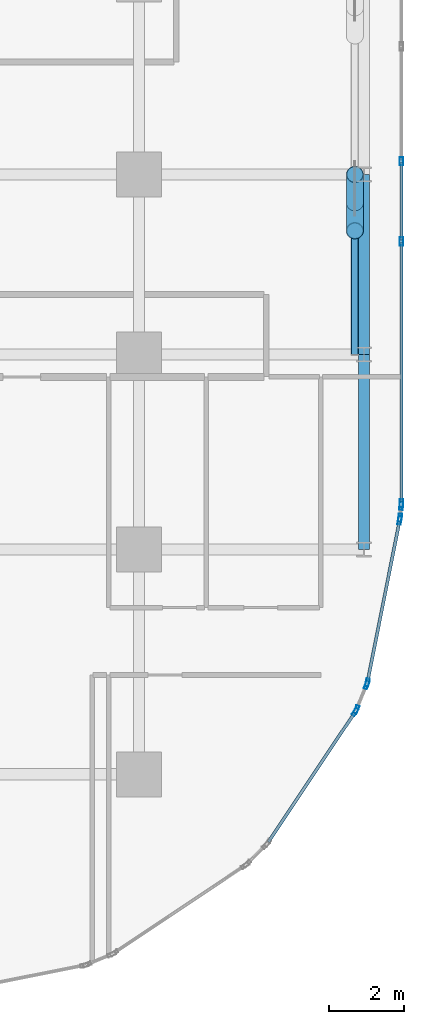
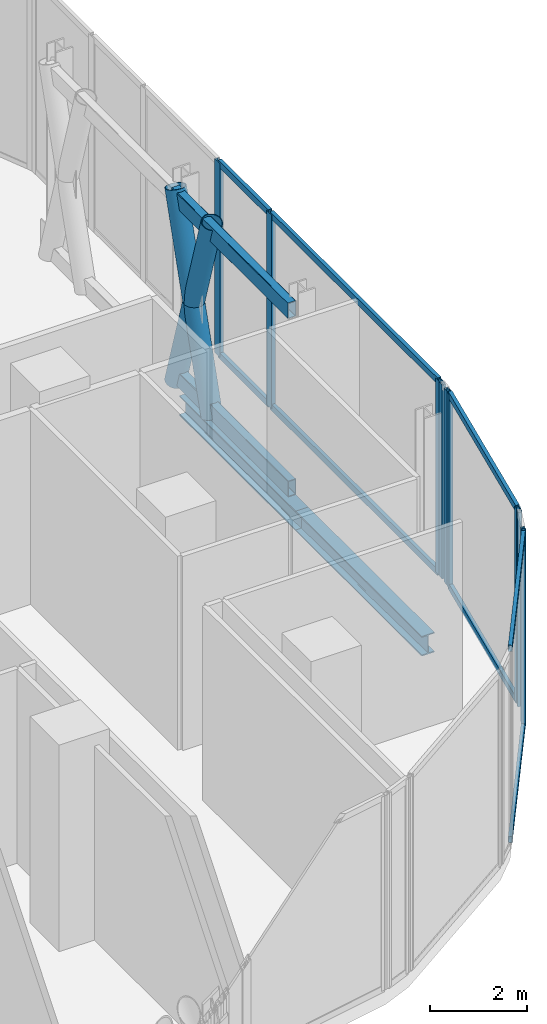
# One storey, part 19 of 36: 23 members, 2 beams, 7 elements without a shape of their own.
"""IFC4 building model written with IfcOpenShell, lengths in metres."""

from ifc_helpers import new_model, si_unit, direction, frame, origin, origin_2d, place, context, subcontext, project, spatial, hollow_rectangle, hollow_circle, i_section, extrude, material, layer, layer_set, material_profile, profile_set, type_object, element, aggregate, save


model = new_model("IFC4")

# Units and contexts
model_context = context("Model", 3, precision=1e-05, world=origin(), true_north=direction((0.0, 1.0)))
body_context = subcontext(model_context, "Body", "Model", "MODEL_VIEW")
ifc_project = project(units=[si_unit("LENGTHUNIT", "METRE"), si_unit("AREAUNIT", "SQUARE_METRE"), si_unit("VOLUMEUNIT", "CUBIC_METRE"), si_unit("PLANEANGLEUNIT", "RADIAN"), si_unit("MASSUNIT", "GRAM", prefix="KILO")], contexts=[model_context])

# Site, building, storey
site_placement = place(None, origin())
site = spatial("IfcSite", under=ifc_project, at=site_placement, CompositionType="ELEMENT")
building_placement = place(site_placement, origin())
building = spatial("IfcBuilding", under=site, at=building_placement, Name="Keshet Zoharim Tower", CompositionType="ELEMENT")
storey_placement = place(building_placement, frame((0.0, 0.0, 81.199951171875)))
storey = spatial("IfcBuildingStorey", under=building, at=storey_placement, Name="L19", CompositionType="ELEMENT", Elevation=81.199951171875)

# Beams
ifc_material_1 = material(Name="Steel S355", Category="steel")
ifc_material_profile_1 = material_profile(ifc_material_1, i_section(OverallWidth=0.300048828125, OverallDepth=0.5, WebThickness=0.014404296875, FlangeThickness=0.028076171875, FilletRadius=0.027099609375, at=origin_2d()), Name="HEB500")
ifc_profile_set_1 = profile_set([ifc_material_profile_1], Name="Steel S355")
beam_type = type_object("IfcBeamType", Name="BM-WEB-HB500", PredefinedType="BEAM", material=ifc_profile_set_1)
beam_1_placement = place(storey_placement, frame((69.0, 12.699951171875, -0.669921875), z_axis=(0.0, 1.0, 0.0), x_axis=(-1.0, 0.0, 0.0)))
element("IfcBeam", 1, at=beam_1_placement, inside=storey, type_object=beam_type, Name="L19 Primary Girder Y-023", PredefinedType="BEAM", context=body_context, shape_type="SweptSolid", body=[
    extrude(i_section(OverallWidth=0.300048828125, OverallDepth=0.5, WebThickness=0.014404296875, FlangeThickness=0.028076171875, FilletRadius=0.027099609375, at=origin_2d()), origin(), (0.0, 0.0, 1.0), 5.199951171875),
])
beam_2_placement = place(storey_placement, frame((69.0, 17.89990234375, -0.669921875), z_axis=(0.0, 1.0, 0.0), x_axis=(-1.0, 0.0, 0.0)))
element("IfcBeam", 2, at=beam_2_placement, inside=storey, type_object=beam_type, Name="L19 Primary Girder Y-024", PredefinedType="BEAM", context=body_context, shape_type="SweptSolid", body=[
    extrude(i_section(OverallWidth=0.300048828125, OverallDepth=0.5, WebThickness=0.014404296875, FlangeThickness=0.028076171875, FilletRadius=0.027099609375, at=origin_2d()), origin(), (0.0, 0.0, 1.0), 4.800048828125),
])

# Curtain wall, member
ifc_material_2 = material(Name="Aluminium 6063-T6", Category="aluminium")
ifc_layer_1 = layer(ifc_material_2, 0.169921875)
ifc_layer_set_1 = layer_set([ifc_layer_1], Name="Aluminium 6063-T6")
curtain_wall_type_1 = type_object("IfcCurtainWallType", Name="CW-SYS-02", PredefinedType="NOTDEFINED", material=ifc_layer_set_1)
curtain_wall_1_placement = place(storey_placement, origin())
curtain_wall_1 = element("IfcCurtainWall", 3, at=curtain_wall_1_placement, inside=storey, type_object=curtain_wall_type_1, Name="L19 Unitised Curtain Wall 16 Part 3", PredefinedType="NOTDEFINED")
ifc_material_profile_2 = material_profile(ifc_material_2, hollow_rectangle(XDim=0.090087890625, YDim=0.219970703125, WallThickness=0.0048828125, at=origin_2d()), Name="MUL-90x220")
ifc_profile_set_2 = profile_set([ifc_material_profile_2], Name="Aluminium 6063-T6")
member_type_1 = type_object("IfcMemberType", Name="CWM-M22", PredefinedType="MULLION", material=ifc_profile_set_2)
member_1_placement = place(storey_placement, frame((70.0, 23.053466796875, 0.0), z_axis=(0.0, 0.0, 1.0), x_axis=(1.0, 0.0, 0.0)))
member_1 = element("IfcMember", 4, at=member_1_placement, type_object=member_type_1, Name="CW-02 mullion 2", PredefinedType="MULLION", context=body_context, shape_type="SweptSolid", body=[
    extrude(hollow_rectangle(XDim=0.090087890625, YDim=0.219970703125, WallThickness=0.0048828125, at=origin_2d()), origin(), (0.0, 0.0, 1.0), 4.885009765625),
])
aggregate(curtain_wall_1, [member_1])

curtain_wall_2_placement = place(storey_placement, origin())
curtain_wall_2 = element("IfcCurtainWall", 5, at=curtain_wall_2_placement, inside=storey, type_object=curtain_wall_type_1, Name="L19 Unitised Curtain Wall 16 Part 4", PredefinedType="NOTDEFINED")
member_2_placement = place(storey_placement, frame((70.0, 20.91650390625, 0.0), z_axis=(0.0, 0.0, 1.0), x_axis=(1.0, 0.0, 0.0)))
member_2 = element("IfcMember", 6, at=member_2_placement, type_object=member_type_1, Name="CW-02 mullion 2", PredefinedType="MULLION", context=body_context, shape_type="SweptSolid", body=[
    extrude(hollow_rectangle(XDim=0.090087890625, YDim=0.219970703125, WallThickness=0.0048828125, at=origin_2d()), origin(), (0.0, 0.0, 1.0), 4.885009765625),
])

curtain_wall_3_placement = place(storey_placement, origin())
curtain_wall_3 = element("IfcCurtainWall", 7, at=curtain_wall_3_placement, inside=storey, type_object=curtain_wall_type_1, Name="L19 Unitised Curtain Wall 16 Part 5", PredefinedType="NOTDEFINED")
member_3_placement = place(storey_placement, frame((70.0, 13.931884765625, 0.0), z_axis=(0.0, 0.0, 1.0), x_axis=(1.0, 0.0, 0.0)))
member_3 = element("IfcMember", 8, at=member_3_placement, type_object=member_type_1, Name="CW-02 mullion 2", PredefinedType="MULLION", context=body_context, shape_type="SweptSolid", body=[
    extrude(hollow_rectangle(XDim=0.090087890625, YDim=0.219970703125, WallThickness=0.0048828125, at=origin_2d()), origin(), (0.0, 0.0, 1.0), 4.885009765625),
])

# Curtain wall, members
curtain_wall_4_placement = place(storey_placement, origin())
curtain_wall_4 = element("IfcCurtainWall", 9, at=curtain_wall_4_placement, inside=storey, type_object=curtain_wall_type_1, Name="L19 Unitised Curtain Wall 17", PredefinedType="NOTDEFINED")
member_4_placement = place(storey_placement, frame((69.99658203125, 13.862060546875, 0.0), z_axis=(0.0, 0.0, 1.0), x_axis=(0.995286657009, -0.096976648633, 0.0)))
member_4 = element("IfcMember", 10, at=member_4_placement, type_object=member_type_1, Name="CW-02 mullion 1", PredefinedType="MULLION", context=body_context, shape_type="SweptSolid", body=[
    extrude(hollow_rectangle(XDim=0.090087890625, YDim=0.219970703125, WallThickness=0.0048828125, at=origin_2d()), origin(), (0.0, 0.0, 1.0), 4.885009765625),
])
member_5_placement = place(storey_placement, frame((69.96533203125, 13.541748046875, 0.0), z_axis=(0.0, 0.0, 1.0), x_axis=(0.995286657009, -0.096976648633, 0.0)))
member_5 = element("IfcMember", 11, at=member_5_placement, type_object=member_type_1, Name="CW-02 mullion 2", PredefinedType="MULLION", context=body_context, shape_type="SweptSolid", body=[
    extrude(hollow_rectangle(XDim=0.090087890625, YDim=0.219970703125, WallThickness=0.0048828125, at=origin_2d()), origin(), (0.0, 0.0, 1.0), 4.885009765625),
])
aggregate(curtain_wall_4, [member_4, member_5])

curtain_wall_5_placement = place(storey_placement, origin())
curtain_wall_5 = element("IfcCurtainWall", 12, at=curtain_wall_5_placement, inside=storey, type_object=curtain_wall_type_1, Name="L19 Unitised Curtain Wall 18", PredefinedType="NOTDEFINED")
member_6_placement = place(storey_placement, frame((69.955078125, 13.47265625, 0.0), z_axis=(0.0, 0.0, 1.0), x_axis=(0.98076917357, -0.195171279072, 0.0)))
member_6 = element("IfcMember", 13, at=member_6_placement, type_object=member_type_1, Name="CW-02 mullion 1", PredefinedType="MULLION", context=body_context, shape_type="SweptSolid", body=[
    extrude(hollow_rectangle(XDim=0.090087890625, YDim=0.219970703125, WallThickness=0.0048828125, at=origin_2d()), origin(), (0.0, 0.0, 1.0), 4.885009765625),
])
member_7_placement = place(storey_placement, frame((69.0947265625, 9.1494140625, 0.0), z_axis=(0.0, 0.0, 1.0), x_axis=(0.98076917357, -0.195171279072, 0.0)))
member_7 = element("IfcMember", 14, at=member_7_placement, type_object=member_type_1, Name="CW-02 mullion 2", PredefinedType="MULLION", context=body_context, shape_type="SweptSolid", body=[
    extrude(hollow_rectangle(XDim=0.090087890625, YDim=0.219970703125, WallThickness=0.0048828125, at=origin_2d()), origin(), (0.0, 0.0, 1.0), 4.885009765625),
])

ifc_layer_2 = layer(ifc_material_2, 0.179931640625)
ifc_layer_set_2 = layer_set([ifc_layer_2], Name="Aluminium 6063-T6")
curtain_wall_type_2 = type_object("IfcCurtainWallType", Name="CW-SYS-01", PredefinedType="NOTDEFINED", material=ifc_layer_set_2)
curtain_wall_6_placement = place(storey_placement, origin())
curtain_wall_6 = element("IfcCurtainWall", 15, at=curtain_wall_6_placement, inside=storey, type_object=curtain_wall_type_2, Name="L19 Unitised Curtain Wall 19", PredefinedType="NOTDEFINED")
member_8_placement = place(storey_placement, frame((69.07470703125, 9.082763671875, 0.0), z_axis=(0.0, 0.0, 1.0), x_axis=(0.923720000557, -0.383068349739, 0.0)))
member_8 = element("IfcMember", 16, at=member_8_placement, type_object=member_type_1, Name="CW-01 mullion 1", PredefinedType="MULLION", context=body_context, shape_type="SweptSolid", body=[
    extrude(hollow_rectangle(XDim=0.090087890625, YDim=0.219970703125, WallThickness=0.0048828125, at=origin_2d()), origin(), (0.0, 0.0, 1.0), 4.885009765625),
])
member_9_placement = place(storey_placement, frame((68.802490234375, 8.42626953125, 0.0), z_axis=(0.0, 0.0, 1.0), x_axis=(0.923720000557, -0.383068349739, 0.0)))
member_9 = element("IfcMember", 17, at=member_9_placement, type_object=member_type_1, Name="CW-01 mullion 2", PredefinedType="MULLION", context=body_context, shape_type="SweptSolid", body=[
    extrude(hollow_rectangle(XDim=0.090087890625, YDim=0.219970703125, WallThickness=0.0048828125, at=origin_2d()), origin(), (0.0, 0.0, 1.0), 4.885009765625),
])
aggregate(curtain_wall_6, [member_8, member_9])

# Curtain wall, member
curtain_wall_7_placement = place(storey_placement, origin())
curtain_wall_7 = element("IfcCurtainWall", 18, at=curtain_wall_7_placement, inside=storey, type_object=curtain_wall_type_2, Name="L19 Unitised Curtain Wall 20", PredefinedType="NOTDEFINED")
member_10_placement = place(storey_placement, frame((68.76953125, 8.364990234375, 0.0), z_axis=(0.0, 0.0, 1.0), x_axis=(0.831474282335, -0.555563243758, 0.0)))
member_10 = element("IfcMember", 19, at=member_10_placement, type_object=member_type_1, Name="CW-01 mullion 1", PredefinedType="MULLION", context=body_context, shape_type="SweptSolid", body=[
    extrude(hollow_rectangle(XDim=0.090087890625, YDim=0.219970703125, WallThickness=0.0048828125, at=origin_2d()), origin(), (0.0, 0.0, 1.0), 4.885009765625),
])

# Member
ifc_material_profile_3 = material_profile(ifc_material_2, hollow_rectangle(XDim=0.0849609375, YDim=0.159912109375, WallThickness=0.00439453125, at=origin_2d()), Name="TRN-85x160")
ifc_profile_set_3 = profile_set([ifc_material_profile_3], Name="Aluminium 6063-T6")
member_type_2 = type_object("IfcMemberType", Name="CWT-T16", PredefinedType="USERDEFINED", material=ifc_profile_set_3)
member_11_placement = place(storey_placement, frame((70.0, 23.018310546875, 0.03515625), z_axis=(0.0, -1.0, 0.0), x_axis=(1.0, 0.0, 0.0)))
member_11 = element("IfcMember", 20, at=member_11_placement, type_object=member_type_2, Name="CW-02 transom 1.1", ObjectType="TRANSOM", PredefinedType="USERDEFINED", context=body_context, shape_type="SweptSolid", body=[
    extrude(hollow_rectangle(XDim=0.0849609375, YDim=0.159912109375, WallThickness=0.00439453125, at=origin_2d()), origin(), (0.0, 0.0, 1.0), 2.066650390625),
])

member_12_placement = place(storey_placement, frame((70.0, 23.018310546875, 4.85009765625), z_axis=(0.0, -1.0, 0.0), x_axis=(1.0, 0.0, 0.0)))
member_12 = element("IfcMember", 21, at=member_12_placement, type_object=member_type_2, Name="CW-02 transom 1.2", ObjectType="TRANSOM", PredefinedType="USERDEFINED", context=body_context, shape_type="SweptSolid", body=[
    extrude(hollow_rectangle(XDim=0.0849609375, YDim=0.159912109375, WallThickness=0.00439453125, at=origin_2d()), origin(), (0.0, 0.0, 1.0), 2.066650390625),
])

aggregate(curtain_wall_2, [member_2, member_11, member_12])

member_13_placement = place(storey_placement, frame((70.0, 20.881591796875, 0.03515625), z_axis=(0.0, -1.0, 0.0), x_axis=(1.0, 0.0, 0.0)))
member_13 = element("IfcMember", 22, at=member_13_placement, type_object=member_type_2, Name="CW-02 transom 1.1", ObjectType="TRANSOM", PredefinedType="USERDEFINED", context=body_context, shape_type="SweptSolid", body=[
    extrude(hollow_rectangle(XDim=0.0849609375, YDim=0.159912109375, WallThickness=0.00439453125, at=origin_2d()), origin(), (0.0, 0.0, 1.0), 6.91455078125),
])

member_14_placement = place(storey_placement, frame((70.0, 20.881591796875, 4.85009765625), z_axis=(0.0, -1.0, 0.0), x_axis=(1.0, 0.0, 0.0)))
member_14 = element("IfcMember", 23, at=member_14_placement, type_object=member_type_2, Name="CW-02 transom 1.2", ObjectType="TRANSOM", PredefinedType="USERDEFINED", context=body_context, shape_type="SweptSolid", body=[
    extrude(hollow_rectangle(XDim=0.0849609375, YDim=0.159912109375, WallThickness=0.00439453125, at=origin_2d()), origin(), (0.0, 0.0, 1.0), 6.91455078125),
])

aggregate(curtain_wall_3, [member_3, member_13, member_14])

member_15_placement = place(storey_placement, frame((69.9482421875, 13.438232421875, 0.03515625), z_axis=(-0.195174459131, -0.980768540739, 0.0), x_axis=(0.980768540739, -0.195174459131, 0.0)))
member_15 = element("IfcMember", 24, at=member_15_placement, type_object=member_type_2, Name="CW-02 transom 1.1", ObjectType="TRANSOM", PredefinedType="USERDEFINED", context=body_context, shape_type="SweptSolid", body=[
    extrude(hollow_rectangle(XDim=0.0849609375, YDim=0.159912109375, WallThickness=0.00439453125, at=origin_2d()), origin(), (0.0, 0.0, 1.0), 4.338134765625),
])

member_16_placement = place(storey_placement, frame((69.9482421875, 13.438232421875, 4.85009765625), z_axis=(-0.195174459131, -0.980768540739, 0.0), x_axis=(0.980768540739, -0.195174459131, 0.0)))
member_16 = element("IfcMember", 25, at=member_16_placement, type_object=member_type_2, Name="CW-02 transom 1.2", ObjectType="TRANSOM", PredefinedType="USERDEFINED", context=body_context, shape_type="SweptSolid", body=[
    extrude(hollow_rectangle(XDim=0.0849609375, YDim=0.159912109375, WallThickness=0.00439453125, at=origin_2d()), origin(), (0.0, 0.0, 1.0), 4.338134765625),
])

aggregate(curtain_wall_5, [member_6, member_7, member_15, member_16])

member_17_placement = place(storey_placement, frame((68.75, 8.335693359375, 0.03515625), z_axis=(-0.55555796544, -0.831477809106, 0.0), x_axis=(0.831477809106, -0.55555796544, 0.0)))
member_17 = element("IfcMember", 26, at=member_17_placement, type_object=member_type_2, Name="CW-01 transom 1.1", ObjectType="TRANSOM", PredefinedType="USERDEFINED", context=body_context, shape_type="SweptSolid", body=[
    extrude(hollow_rectangle(XDim=0.0849609375, YDim=0.159912109375, WallThickness=0.00439453125, at=origin_2d()), origin(), (0.0, 0.0, 1.0), 4.136474609375),
])

member_18_placement = place(storey_placement, frame((68.75, 8.335693359375, 4.85009765625), z_axis=(-0.55555796544, -0.831477809106, 0.0), x_axis=(0.831477809106, -0.55555796544, 0.0)))
member_18 = element("IfcMember", 27, at=member_18_placement, type_object=member_type_2, Name="CW-01 transom 1.2", ObjectType="TRANSOM", PredefinedType="USERDEFINED", context=body_context, shape_type="SweptSolid", body=[
    extrude(hollow_rectangle(XDim=0.0849609375, YDim=0.159912109375, WallThickness=0.00439453125, at=origin_2d()), origin(), (0.0, 0.0, 1.0), 4.136474609375),
])

aggregate(curtain_wall_7, [member_10, member_17, member_18])

# Members
ifc_material_profile_4 = material_profile(ifc_material_1, hollow_circle(Radius=0.228515625, WallThickness=0.01611328125, at=origin_2d()), Name="CHS457x16")
ifc_profile_set_4 = profile_set([ifc_material_profile_4], Name="Steel S355")
member_type_3 = type_object("IfcMemberType", Name="MB-BELT-C457", PredefinedType="BRACE", material=ifc_profile_set_4)
member_19_placement = place(storey_placement, frame((68.760009765625, 22.699951171875, 0.0), z_axis=(0.0, -0.293535214916, 0.955948260945), x_axis=(1.0, 0.0, 0.0)))
element("IfcMember", 28, at=member_19_placement, inside=storey, type_object=member_type_3, Name="L19 Perimeter Belt Truss Continuous Diagonal A08", PredefinedType="BRACE", context=body_context, shape_type="SweptSolid", body=[
    extrude(hollow_circle(Radius=0.228515625, WallThickness=0.01611328125, at=origin_2d()), origin(), (0.0, 0.0, 1.0), 5.110107421875),
])
member_20_placement = place(storey_placement, frame((68.760009765625, 21.199951171875, 0.0), z_axis=(0.0, 0.293521809364, 0.955952377176), x_axis=(-1.0, 0.0, 0.0)))
element("IfcMember", 29, at=member_20_placement, inside=storey, type_object=member_type_3, Name="L19 Perimeter Belt Truss Split Diagonal B1-08", PredefinedType="BRACE", context=body_context, shape_type="SweptSolid", body=[
    extrude(hollow_circle(Radius=0.228515625, WallThickness=0.01611328125, at=origin_2d()), origin(), (0.0, 0.0, 1.0), 2.55517578125),
])
member_21_placement = place(storey_placement, frame((68.760009765625, 21.949951171875, 2.442626953125), z_axis=(0.0, 0.293548621635, 0.955944144151), x_axis=(-1.0, 0.0, 0.0)))
element("IfcMember", 30, at=member_21_placement, inside=storey, type_object=member_type_3, Name="L19 Perimeter Belt Truss Split Diagonal B2-08", PredefinedType="BRACE", context=body_context, shape_type="SweptSolid", body=[
    extrude(hollow_circle(Radius=0.228515625, WallThickness=0.01611328125, at=origin_2d()), origin(), (0.0, 0.0, 1.0), 2.554931640625),
])
ifc_material_profile_5 = material_profile(ifc_material_1, hollow_rectangle(XDim=0.199951171875, YDim=0.39990234375, WallThickness=0.01611328125, InnerFilletRadius=0.01611328125, OuterFilletRadius=0.02392578125, at=origin_2d()), Name="RHS400x200x16")
ifc_profile_set_5 = profile_set([ifc_material_profile_5], Name="Steel S355")
member_type_4 = type_object("IfcMemberType", Name="MB-CHD-R400", PredefinedType="CHORD", material=ifc_profile_set_5)
for number, where, z_axis, x_axis, name in (
    (31, (68.760009765625, 22.699951171875, 0.199951171875), (0.0, -1.0, 0.0), (1.0, 0.0, 0.0), "L19 Perimeter Belt Truss Chord B08"),
    (32, (68.760009765625, 22.699951171875, 4.68505859375), (0.0, -1.0, 0.0), (1.0, 0.0, 0.0), "L19 Perimeter Belt Truss Top Chord T08"),
):
    element("IfcMember", number, at=place(storey_placement, frame(where, z_axis=z_axis, x_axis=x_axis)), inside=storey, type_object=member_type_4, Name=name, PredefinedType="CHORD", context=body_context, shape_type="SweptSolid", body=[
        extrude(hollow_rectangle(XDim=0.199951171875, YDim=0.39990234375, WallThickness=0.01611328125, InnerFilletRadius=0.01611328125, OuterFilletRadius=0.02392578125, at=origin_2d()), origin(), (0.0, 0.0, 1.0), 4.800048828125),
    ])

save(model, "model.ifc")
